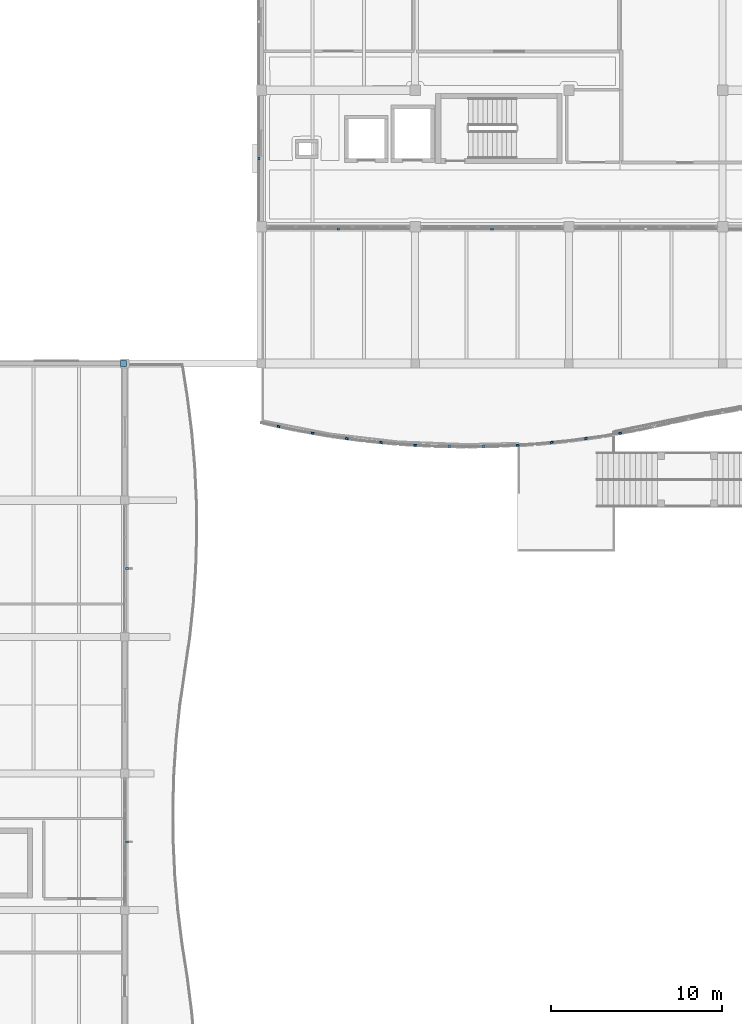
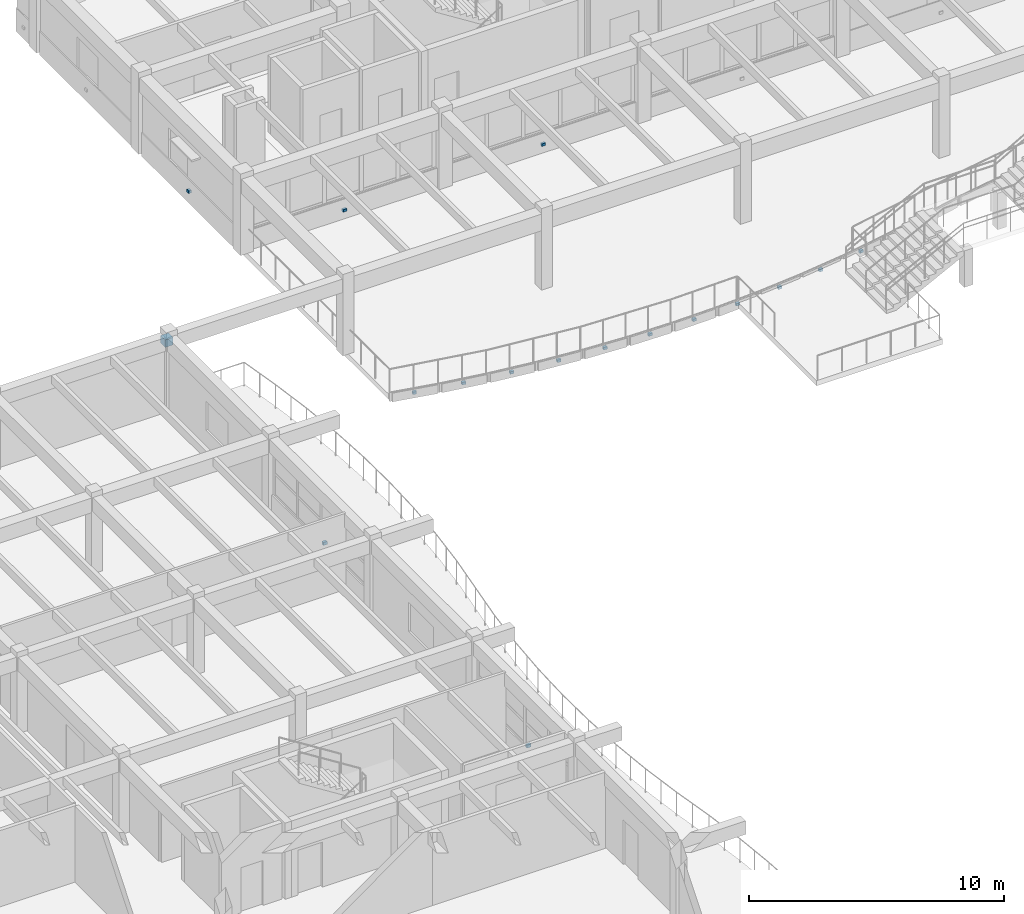
# One storey, part 69 of 89: 17 discrete accessories.
"""IFC4 building model written with IfcOpenShell, lengths in metres."""

import ifcopenshell
import ifcopenshell.guid

model = None  # the IFC model being written
_history = None  # IfcOwnerHistory: only IFC2X3 demands one
_inside = {}  # id of a spatial element -> (the spatial element, [elements in it])
_under = {}  # id of a project, library or spatial element -> (it, [spatial elements below it])
_declared = {}  # id of a project -> (the project, [libraries it declares])
_typed = {}  # id of a type object -> (the type object, [elements of that type])
_made_of = {}  # id of a material, layer set ... -> (it, [elements and type objects made of it])


def new_model(schema):
    """Start an empty IFC model of exactly this schema.

    Asked for "IFC4X3", IfcOpenShell would pick the latest addendum, in which some entities
    have other attributes; the version numbers below select the first issue.
    IFC2X3 requires an IfcOwnerHistory on every rooted entity: one is made here for all.
    """
    global model, _history
    if schema == "IFC4X3":
        model = ifcopenshell.file(schema_version=(4, 3, 0, 0))
    else:
        model = ifcopenshell.file(schema=schema)
    _inside.clear()
    _under.clear()
    _declared.clear()
    _typed.clear()
    _made_of.clear()
    _history = None
    if model.schema == "IFC2X3":
        org = make("IfcOrganization", Name="unknown")
        user = make(
            "IfcPersonAndOrganization",
            ThePerson=make("IfcPerson", FamilyName="unknown"),
            TheOrganization=org,
        )
        app = make(
            "IfcApplication",
            ApplicationDeveloper=org,
            Version="unknown",
            ApplicationFullName="unknown",
            ApplicationIdentifier="unknown",
        )
        _history = make(
            "IfcOwnerHistory",
            OwningUser=user,
            OwningApplication=app,
            ChangeAction="ADDED",
            CreationDate=0,
        )
    return model


def make(cls, **values):
    """One entity of the class cls with the attributes given. An attribute that is None is left unset."""
    return model.create_entity(
        cls, **{name: value for name, value in values.items() if value is not None}
    )


def rooted(cls, **values):
    """An entity with a GlobalId (a new one), such as an element, a storey or a relation."""
    return make(cls, GlobalId=ifcopenshell.guid.new(), OwnerHistory=_history, **values)


def si_unit(unit_type, name, prefix=None):
    """IfcSIUnit, for example si_unit("LENGTHUNIT", "METRE", prefix="MILLI")."""
    return make("IfcSIUnit", UnitType=unit_type, Prefix=prefix, Name=name)


def assignment(units):
    """IfcUnitAssignment: the units of a project."""
    return None if units is None else make("IfcUnitAssignment", Units=units)


def point(xyz):
    """IfcCartesianPoint."""
    return None if xyz is None else make("IfcCartesianPoint", Coordinates=xyz)


def direction(xyz):
    """IfcDirection."""
    return None if xyz is None else make("IfcDirection", DirectionRatios=xyz)


def frame(location, z_axis=None, x_axis=None):
    """IfcAxis2Placement3D, a coordinate frame: its origin and axes. An axis left out is left unset."""
    return make(
        "IfcAxis2Placement3D",
        Location=point(location),
        Axis=direction(z_axis),
        RefDirection=direction(x_axis),
    )


def frame_2d(location, x_axis=None):
    """IfcAxis2Placement2D, a coordinate frame in the plane: its origin and x axis."""
    return make(
        "IfcAxis2Placement2D", Location=point(location), RefDirection=direction(x_axis)
    )


def origin():
    """The frame at (0, 0, 0) with its axes left unset."""
    return frame((0.0, 0.0, 0.0))


def origin_2d():
    """The frame at (0, 0) in the plane with its x axis left unset."""
    return frame_2d((0.0, 0.0))


def place(relative_to, where):
    """IfcLocalPlacement: puts the frame where relative to a parent placement (None: the world)."""
    return make(
        "IfcLocalPlacement", PlacementRelTo=relative_to, RelativePlacement=where
    )


def context(
    kind, dimensions, precision=None, world=None, true_north=None, identifier=None
):
    """IfcGeometricRepresentationContext, for example the 3D "Model" context."""
    return make(
        "IfcGeometricRepresentationContext",
        ContextIdentifier=identifier,
        ContextType=kind,
        CoordinateSpaceDimension=dimensions,
        Precision=precision,
        WorldCoordinateSystem=world,
        TrueNorth=true_north,
    )


def subcontext(parent, identifier, kind, view, scale=None):
    """IfcGeometricRepresentationSubContext, for example "Body" below "Model"."""
    return make(
        "IfcGeometricRepresentationSubContext",
        ContextIdentifier=identifier,
        ContextType=kind,
        ParentContext=parent,
        TargetScale=scale,
        TargetView=view,
    )


def project(units=None, contexts=None):
    """IfcProject with its units and contexts."""
    return rooted(
        "IfcProject",
        Name="project",
        RepresentationContexts=contexts,
        UnitsInContext=assignment(units),
    )


def spatial(cls, under=None, at=None, **own):
    """A site, building, storey or space (cls), placed at a placement, below another one or the project."""
    s = rooted(cls, ObjectPlacement=at, **own)
    if under is not None:
        _under.setdefault(under.id(), (under, []))[1].append(s)
    return s


def profile(cls, at=None, kind="AREA", **sizes):
    """A parametric profile (cls). Its sizes go by their IFC names, for example OverallWidth=200.0."""
    return make(cls, ProfileType=kind, Position=at, **sizes)


def rectangle(**sizes):
    """IfcRectangleProfileDef."""
    return profile("IfcRectangleProfileDef", **sizes)


def extrude(swept, where, along, depth):
    """IfcExtrudedAreaSolid: the profile swept, set in the frame where, extruded along a direction by depth."""
    return make(
        "IfcExtrudedAreaSolid",
        SweptArea=swept,
        Position=where,
        ExtrudedDirection=direction(along),
        Depth=depth,
    )


def shape(context_of_items, identifier, shape_type, items):
    """IfcShapeRepresentation: the items that make up one representation, for example the "Body"."""
    return make(
        "IfcShapeRepresentation",
        ContextOfItems=context_of_items,
        RepresentationIdentifier=identifier,
        RepresentationType=shape_type,
        Items=items,
    )


def material(Name=None, Category=None):
    """IfcMaterial."""
    return make("IfcMaterial", Name=Name, Category=Category)


def made_of(thing, what):
    """Note that an element or type object is made of a material, layer set ...; save() writes the relation."""
    if what is not None:
        _made_of.setdefault(what.id(), (what, []))[1].append(thing)
    return thing


def type_object(cls, material=None, **own):
    """A type object (cls), such as IfcWallType, which elements share."""
    return made_of(rooted(cls, **own), material)


def element(
    cls,
    number,
    at=None,
    inside=None,
    cuts=None,
    type_object=None,
    material=None,
    context=None,
    identifier="Body",
    shape_type=None,
    held_by="IfcProductDefinitionShape",
    body=None,
    shapes=None,
    **own,
):
    """One element of the class cls, such as IfcWall. Its Tag is "e" and its number.

    at: its placement. inside: the storey or other place that contains it. cuts: it is an
    opening in that element (IfcRelVoidsElement). A single representation is given by context,
    identifier, shape_type and body (its items); several are given by shapes. held_by: the class
    of the entity that holds the representations. save() writes the other relations.
    """
    e = rooted(cls, Tag="e%d" % number, ObjectPlacement=at, **own)
    if body is not None:
        shapes = [shape(context, identifier, shape_type, body)]
    if shapes is not None:
        e.Representation = make(held_by, Representations=shapes)
    if inside is not None:
        _inside.setdefault(inside.id(), (inside, []))[1].append(e)
    if cuts is not None:
        rooted(
            "IfcRelVoidsElement", RelatingBuildingElement=cuts, RelatedOpeningElement=e
        )
    if type_object is not None:
        _typed.setdefault(type_object.id(), (type_object, []))[1].append(e)
    return made_of(e, material)


def aggregate(whole, parts):
    """IfcRelAggregates: a whole, such as a stair, and the parts it consists of."""
    return rooted("IfcRelAggregates", RelatingObject=whole, RelatedObjects=parts)


def save(model, path):
    """Write the relations noted so far, then the file.

    IfcRelAggregates (storeys below a building ...), IfcRelContainedInSpatialStructure (elements
    in a storey), IfcRelDefinesByType, IfcRelAssociatesMaterial and IfcRelDeclares: one each for
    every whole, place, type object, material and project.
    """
    for whole, parts in _under.values():
        aggregate(whole, parts)
    for where, things in _inside.values():
        rooted(
            "IfcRelContainedInSpatialStructure",
            RelatedElements=things,
            RelatingStructure=where,
        )
    for kind, things in _typed.values():
        rooted("IfcRelDefinesByType", RelatedObjects=things, RelatingType=kind)
    for what, things in _made_of.values():
        rooted("IfcRelAssociatesMaterial", RelatedObjects=things, RelatingMaterial=what)
    for by, libraries in _declared.values():
        rooted("IfcRelDeclares", RelatingContext=by, RelatedDefinitions=libraries)
    model.write(path)


model = new_model("IFC4")

# Units and contexts
model_context = context("Model", 3, precision=1e-05, world=origin(), true_north=direction((0.0, 1.0)))
body_context = subcontext(model_context, "Body", "Model", "MODEL_VIEW")
ifc_project = project(units=[si_unit("LENGTHUNIT", "METRE"), si_unit("AREAUNIT", "SQUARE_METRE"), si_unit("VOLUMEUNIT", "CUBIC_METRE"), si_unit("PLANEANGLEUNIT", "RADIAN"), si_unit("MASSUNIT", "GRAM", prefix="KILO")], contexts=[model_context])

# Site, building, storey
site_placement = place(None, origin())
site = spatial("IfcSite", under=ifc_project, at=site_placement, CompositionType="ELEMENT")
building_placement = place(site_placement, origin())
building = spatial("IfcBuilding", under=site, at=building_placement, Name="Tonlespit Floodbar School", CompositionType="ELEMENT")
storey_placement = place(building_placement, frame((0.0, 0.0, 4.5)))
storey = spatial("IfcBuildingStorey", under=building, at=storey_placement, Name="L01", CompositionType="ELEMENT", Elevation=4.5)

# Discrete accessories
ifc_material_1 = material(Name="Galvanised Steel", Category="steel")
discrete_accessory_type_1 = type_object("IfcDiscreteAccessoryType", Name="Bracket_Facade_S355", PredefinedType="BRACKET", material=ifc_material_1)
for number, where, z_axis, x_axis, name in (
    (1, (57.5, 103.8701171875, 0.35498046875), (0.0, 0.0, 1.0), (-1.0, 0.0, 0.0), "L01 white band support bracket 0090"),
    (2, (48.5, 103.8701171875, 0.35498046875), (0.0, 0.0, 1.0), (-1.0, 0.0, 0.0), "L01 white band support bracket 0091"),
    (3, (43.85009765625, 108.0, 0.3798828125), (0.0, 0.0, 1.0), (0.0, 1.0, 0.0), "L01 white band support bracket 0092"),
    (4, (45.0, 92.3134765625, -0.150146484375), (0.0, 0.0, 1.0), (0.977356843161, -0.21159773422, 0.0), "L01 white band support bracket 0095"),
    (5, (47.0, 91.92138671875, -0.150146484375), (0.0, 0.0, 1.0), (0.984904884962, -0.17309641122, 0.0), "L01 white band support bracket 0096"),
    (6, (49.0, 91.609619140625, -0.150146484375), (0.0, 0.0, 1.0), (0.990898113281, -0.13461400037, 0.0), "L01 white band support bracket 0097"),
    (7, (51.0, 91.377197265625, -0.150146484375), (0.0, 0.0, 1.0), (0.995361841764, -0.096201891669, 0.0), "L01 white band support bracket 0098"),
    (8, (53.0, 91.22265625, -0.150146484375), (0.0, 0.0, 1.0), (0.998333769428, -0.057703421212, 0.0), "L01 white band support bracket 0099"),
    (9, (55.0, 91.145751953125, -0.150146484375), (0.0, 0.0, 1.0), (0.999814772764, -0.01924630259, 0.0), "L01 white band support bracket 0100"),
    (10, (57.0, 91.145751953125, -0.150146484375), (0.0, 0.0, 1.0), (0.999814772764, 0.01924630259, 0.0), "L01 white band support bracket 0101"),
    (11, (59.0, 91.22265625, -0.150146484375), (0.0, 0.0, 1.0), (0.998333769428, 0.057703421212, 0.0), "L01 white band support bracket 0102"),
    (12, (61.0, 91.377197265625, -0.150146484375), (0.0, 0.0, 1.0), (0.995361841764, 0.096201891669, 0.0), "L01 white band support bracket 0103"),
    (13, (63.0, 91.609619140625, -0.150146484375), (0.0, 0.0, 1.0), (0.990898113281, 0.13461400037, 0.0), "L01 white band support bracket 0104"),
    (14, (65.0, 91.92138671875, -0.150146484375), (0.0, 0.0, 1.0), (0.984904884962, 0.17309641122, 0.0), "L01 white band support bracket 0105"),
):
    element("IfcDiscreteAccessory", number, at=place(storey_placement, frame(where, z_axis=z_axis, x_axis=x_axis)), inside=storey, type_object=discrete_accessory_type_1, Name=name, PredefinedType="BRACKET", context=body_context, shape_type="SweptSolid", body=[
        extrude(rectangle(XDim=0.159912109375, YDim=0.1201171875, at=origin_2d()), origin(), (0.0, 0.0, 1.0), 0.1201171875),
    ])
for number, where, z_axis, x_axis, name in (
    (15, (36.132568359375, 84.0, 0.7802734375), (0.0, 0.0, 1.0), (0.0, -1.0, 0.0), "Solar fin support bracket 148"),
    (16, (36.132568359375, 68.0, 0.7802734375), (0.0, 0.0, 1.0), (0.0, -1.0, 0.0), "Solar fin support bracket 149"),
):
    element("IfcDiscreteAccessory", number, at=place(storey_placement, frame(where, z_axis=z_axis, x_axis=x_axis)), inside=storey, type_object=discrete_accessory_type_1, Name=name, PredefinedType="BRACKET", context=body_context, shape_type="SweptSolid", body=[
        extrude(rectangle(XDim=0.1201171875, YDim=0.179931640625, at=origin_2d()), origin(), (0.0, 0.0, 1.0), 0.139892578125),
    ])
ifc_material_2 = material(Name="Steel S355", Category="steel")
discrete_accessory_type_2 = type_object("IfcDiscreteAccessoryType", Name="GussetShoe_Brace_S355", PredefinedType="SHOE", material=ifc_material_2)
discrete_accessory_placement = place(storey_placement, frame((35.919921875, 96.0, 3.169921875), z_axis=(0.0, 0.0, 1.0), x_axis=(1.0, 0.0, 0.0)))
element("IfcDiscreteAccessory", 17, at=discrete_accessory_placement, inside=storey, type_object=discrete_accessory_type_2, Name="L01 brace and chord end gusset shoe 0030", PredefinedType="SHOE", context=body_context, shape_type="SweptSolid", body=[
    extrude(rectangle(XDim=0.360107421875, YDim=0.360107421875, at=origin_2d()), origin(), (0.0, 0.0, 1.0), 0.360107421875),
])

save(model, "model.ifc")
